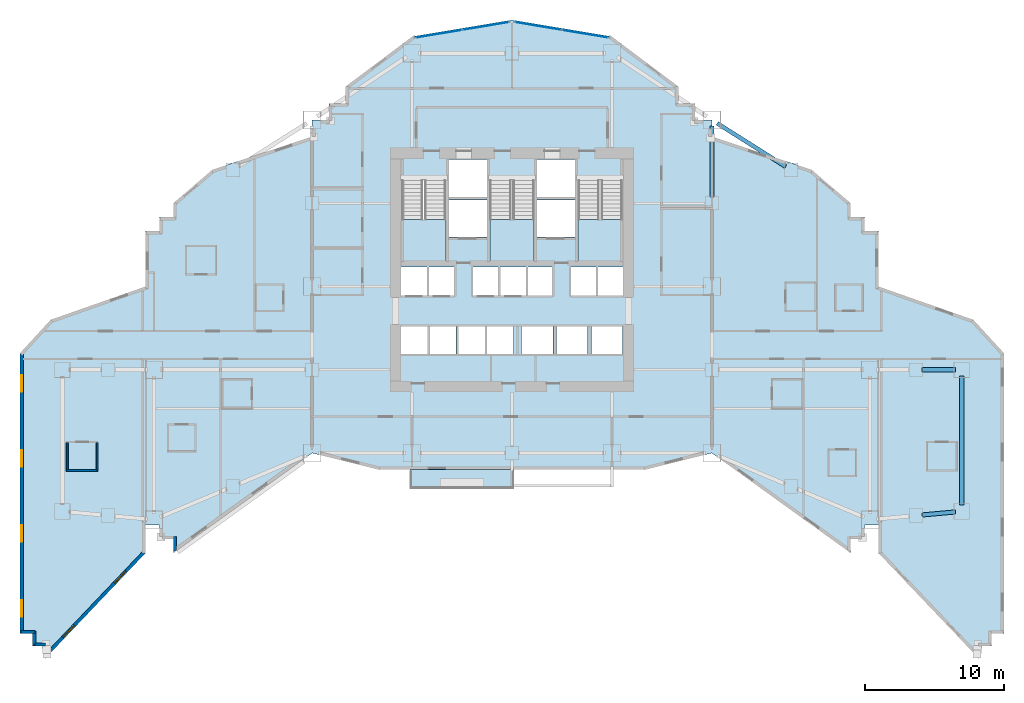
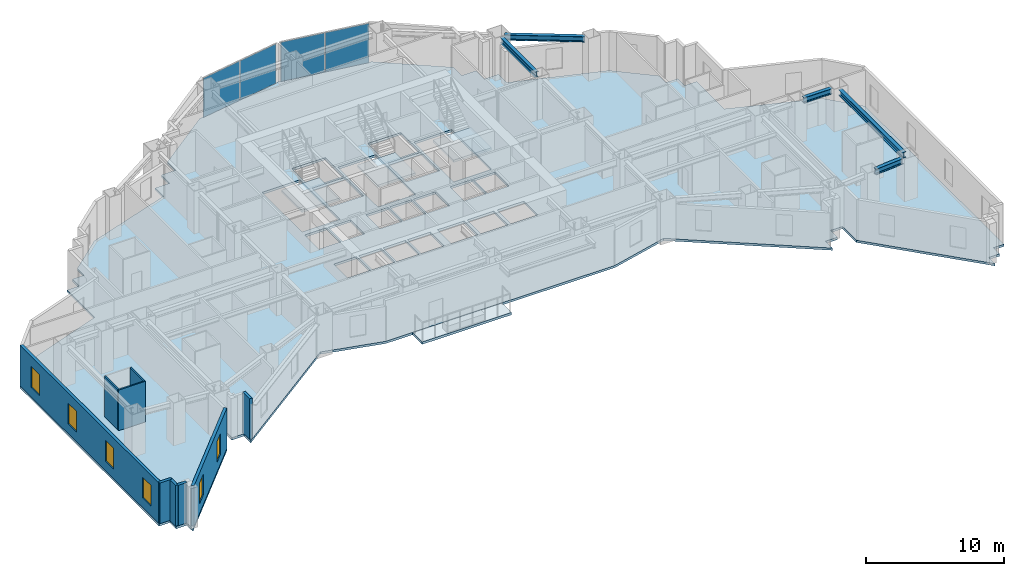
# One storey, part 6 of 17: 9 walls, 6 windows, 5 beams, 5 slabs, 4 plates, 6 openings, 5 elements without a shape of their own.
"""IFC4 building model written with IfcOpenShell, lengths in metres."""

from ifc_helpers import new_model, si_unit, direction, frame, frame_2d, origin, origin_2d, place, context, subcontext, project, spatial, polyline, rectangle, i_section, outline, extrude, material, layer, layer_set, material_profile, profile_set, type_object, element, fill, aggregate, save


model = new_model("IFC4")

# Units and contexts
model_context = context("Model", 3, precision=1e-05, world=origin(), true_north=direction((0.0, 1.0)))
body_context = subcontext(model_context, "Body", "Model", "MODEL_VIEW")
ifc_project = project(units=[si_unit("LENGTHUNIT", "METRE"), si_unit("AREAUNIT", "SQUARE_METRE"), si_unit("VOLUMEUNIT", "CUBIC_METRE"), si_unit("PLANEANGLEUNIT", "RADIAN"), si_unit("MASSUNIT", "GRAM", prefix="KILO")], contexts=[model_context])

# Site, building, storey
site_placement = place(None, origin())
site = spatial("IfcSite", under=ifc_project, at=site_placement, CompositionType="ELEMENT")
building_placement = place(site_placement, origin())
building = spatial("IfcBuilding", under=site, at=building_placement, Name="Haolan Belvedere Tower", CompositionType="ELEMENT")
storey_placement = place(building_placement, frame((0.0, 0.0, 31.60009765625)))
storey = spatial("IfcBuildingStorey", under=building, at=storey_placement, Name="L07", CompositionType="ELEMENT", Elevation=31.60009765625)

# Beams
ifc_material_1 = material(Name="Steel Q355B", Category="steel")
ifc_material_profile = material_profile(ifc_material_1, i_section(OverallWidth=0.300048828125, OverallDepth=0.488037109375, WebThickness=0.010986328125, FlangeThickness=0.01806640625, FilletRadius=0.02587890625, at=origin_2d()), Name="Steel Q355B")
ifc_profile_set = profile_set([ifc_material_profile], Name="Steel Q355B")
beam_type = type_object("IfcBeamType", Name="BM-HM488x300x11x18", PredefinedType="SPANDREL", material=ifc_profile_set)
beam_1_placement = place(storey_placement, frame((52.800048828125, 40.050048828125, 3.35595703125), z_axis=(0.0, 1.0, 0.0), x_axis=(-1.0, 0.0, 0.0)))
element("IfcBeam", 1, at=beam_1_placement, inside=storey, type_object=beam_type, Name="L07 spandrel girder TC-T3-E2-MC-T3-NE", PredefinedType="SPANDREL", context=body_context, shape_type="SweptSolid", body=[
    extrude(i_section(OverallWidth=0.300048828125, OverallDepth=0.488037109375, WebThickness=0.010986328125, FlangeThickness=0.01806640625, FilletRadius=0.02587890625, at=origin_2d()), origin(), (0.0, 0.0, 1.0), 5.099853515625),
])
beam_2_placement = place(storey_placement, frame((53.180419921875, 45.359619140625, 3.35595703125), z_axis=(0.845497840649, -0.533978839898, 0.0), x_axis=(0.533978839898, 0.845497840649, 0.0)))
element("IfcBeam", 2, at=beam_2_placement, inside=storey, type_object=beam_type, Name="L07 spandrel girder MC-T3-NE-TC-T4-N1", PredefinedType="SPANDREL", context=body_context, shape_type="SweptSolid", body=[
    extrude(i_section(OverallWidth=0.300048828125, OverallDepth=0.488037109375, WebThickness=0.010986328125, FlangeThickness=0.01806640625, FilletRadius=0.02587890625, at=origin_2d()), origin(), (0.0, 0.0, 1.0), 5.841796875),
])
beam_3_placement = place(storey_placement, frame((70.800048828125, 17.85009765625, 3.35595703125), z_axis=(0.0, 1.0, 0.0), x_axis=(-1.0, 0.0, 0.0)))
element("IfcBeam", 3, at=beam_3_placement, inside=storey, type_object=beam_type, Name="L07 spandrel girder MC-T5-SE-MC-T5-NE", PredefinedType="SPANDREL", context=body_context, shape_type="SweptSolid", body=[
    extrude(i_section(OverallWidth=0.300048828125, OverallDepth=0.488037109375, WebThickness=0.010986328125, FlangeThickness=0.01806640625, FilletRadius=0.02587890625, at=origin_2d()), origin(), (0.0, 0.0, 1.0), 9.2998046875),
])
beam_4_placement = place(storey_placement, frame((67.9482421875, 17.140625, 3.35595703125), z_axis=(0.995884080761, 0.090636072764, 0.0), x_axis=(-0.090636072764, 0.995884080761, 0.0)))
element("IfcBeam", 4, at=beam_4_placement, inside=storey, type_object=beam_type, Name="L07 spandrel girder TC-T5-M1-MC-T5-SE", PredefinedType="SPANDREL", context=body_context, shape_type="SweptSolid", body=[
    extrude(i_section(OverallWidth=0.300048828125, OverallDepth=0.488037109375, WebThickness=0.010986328125, FlangeThickness=0.01806640625, FilletRadius=0.02587890625, at=origin_2d()), origin(), (0.0, 0.0, 1.0), 2.41357421875),
])
beam_5_placement = place(storey_placement, frame((67.949951171875, 27.60009765625, 3.35595703125), z_axis=(1.0, 0.0, 0.0), x_axis=(0.0, 1.0, 0.0)))
element("IfcBeam", 5, at=beam_5_placement, inside=storey, type_object=beam_type, Name="L07 spandrel girder TC-T5-M2-MC-T5-NE", PredefinedType="SPANDREL", context=body_context, shape_type="SweptSolid", body=[
    extrude(i_section(OverallWidth=0.300048828125, OverallDepth=0.488037109375, WebThickness=0.010986328125, FlangeThickness=0.01806640625, FilletRadius=0.02587890625, at=origin_2d()), origin(), (0.0, 0.0, 1.0), 2.400146484375),
])

# Curtain wall, plates
ifc_material_2 = material(Name="Anodised champagne-silver aluminium 6063-T6 and Low-E glass", Category="aluminium")
ifc_layer_1 = layer(ifc_material_2, 0.1650390625, Name="Anodised champagne-silver aluminium 6063-T6 and Low-E glass")
ifc_layer_set_1 = layer_set([ifc_layer_1], Name="Anodised champagne-silver aluminium 6063-T6 and Low-E glass")
curtain_wall_type = type_object("IfcCurtainWallType", Name="CW-SYS-02", PredefinedType="NOTDEFINED", material=ifc_layer_set_1)
curtain_wall_1_placement = place(storey_placement, origin())
curtain_wall_1 = element("IfcCurtainWall", 6, at=curtain_wall_1_placement, inside=storey, type_object=curtain_wall_type, Name="L07 CW-SYS-02 ribbon curtain wall 42.1", PredefinedType="NOTDEFINED")
ifc_material_3 = material(Name="Double silver Low-E laminated insulating glass", Category="glass")
ifc_layer_2 = layer(ifc_material_3, 0.02587890625, Name="Double silver Low-E laminated insulating glass")
ifc_layer_set_2 = layer_set([ifc_layer_2], Name="Double silver Low-E laminated insulating glass")
plate_type = type_object("IfcPlateType", Name="CW-SYS-02-PNL", PredefinedType="CURTAIN_PANEL", material=ifc_layer_set_2)
plate_1_placement = place(storey_placement, frame((43.6796875, 51.79833984375, 0.0546875), z_axis=(0.0, 0.0, 1.0), x_axis=(-0.9863931483, 0.16440364043, 0.0)))
plate_1 = element("IfcPlate", 7, at=plate_1_placement, type_object=plate_type, Name="CW-02 panel 1.1", PredefinedType="CURTAIN_PANEL", context=body_context, shape_type="SweptSolid", body=[
    extrude(rectangle(XDim=3.39501953125, YDim=0.02587890625, at=origin_2d()), origin(), (0.0, 0.0, 1.0), 3.489990234375),
])
plate_2_placement = place(storey_placement, frame((40.271728515625, 52.366455078125, 0.0546875), z_axis=(0.0, 0.0, 1.0), x_axis=(-0.9863931483, 0.16440364043, 0.0)))
plate_2 = element("IfcPlate", 8, at=plate_2_placement, type_object=plate_type, Name="CW-02 panel 2.1", PredefinedType="CURTAIN_PANEL", context=body_context, shape_type="SweptSolid", body=[
    extrude(rectangle(XDim=3.39501953125, YDim=0.02587890625, at=origin_2d()), origin(), (0.0, 0.0, 1.0), 3.489990234375),
])
aggregate(curtain_wall_1, [plate_1, plate_2])

curtain_wall_2_placement = place(storey_placement, origin())
curtain_wall_2 = element("IfcCurtainWall", 9, at=curtain_wall_2_placement, inside=storey, type_object=curtain_wall_type, Name="L07 CW-SYS-02 ribbon curtain wall 43.1", PredefinedType="NOTDEFINED")
plate_3_placement = place(storey_placement, frame((36.5283203125, 52.366455078125, 0.0546875), z_axis=(0.0, 0.0, 1.0), x_axis=(-0.9863931483, -0.16440364043, 0.0)))
plate_3 = element("IfcPlate", 10, at=plate_3_placement, type_object=plate_type, Name="CW-02 panel 1.1", PredefinedType="CURTAIN_PANEL", context=body_context, shape_type="SweptSolid", body=[
    extrude(rectangle(XDim=3.39501953125, YDim=0.02587890625, at=origin_2d()), origin(), (0.0, 0.0, 1.0), 3.489990234375),
])
plate_4_placement = place(storey_placement, frame((33.120361328125, 51.79833984375, 0.0546875), z_axis=(0.0, 0.0, 1.0), x_axis=(-0.9863931483, -0.16440364043, 0.0)))
plate_4 = element("IfcPlate", 11, at=plate_4_placement, type_object=plate_type, Name="CW-02 panel 2.1", PredefinedType="CURTAIN_PANEL", context=body_context, shape_type="SweptSolid", body=[
    extrude(rectangle(XDim=3.39501953125, YDim=0.02587890625, at=origin_2d()), origin(), (0.0, 0.0, 1.0), 3.489990234375),
])
aggregate(curtain_wall_2, [plate_3, plate_4])

# Slabs
ifc_material_4 = material(Name="Concrete C40/50", Category="concrete")
ifc_layer_3 = layer(ifc_material_4, 0.2099609375, Name="Concrete C40/50")
ifc_layer_set_3 = layer_set([ifc_layer_3], Name="Concrete C40/50")
slab_type_1 = type_object("IfcSlabType", Name="SL-BAL-210", PredefinedType="FLOOR", material=ifc_layer_set_3)
slab_1_placement = place(storey_placement, frame((0.0, 0.0, -0.22998046875)))
element("IfcSlab", 12, at=slab_1_placement, inside=storey, type_object=slab_type_1, Name="L07 structural tree-planter balcony slab BAL-L07-S1", PredefinedType="FLOOR", context=body_context, shape_type="SweptSolid", body=[
    extrude(outline(polyline([(31.050048828125, 19.02001953125), (38.550048828125, 19.02001953125), (38.550048828125, 20.39990234375), (31.050048828125, 20.39990234375), (31.050048828125, 19.02001953125)])), origin(), (0.0, 0.0, 1.0), 0.2099609375),
])
ifc_layer_4 = layer(ifc_material_4, 0.199951171875, Name="Concrete C40/50")
ifc_layer_set_4 = layer_set([ifc_layer_4], Name="Concrete C40/50")
slab_type_2 = type_object("IfcSlabType", Name="SL-FLR-200", PredefinedType="FLOOR", material=ifc_layer_set_4)
slab_2_placement = place(storey_placement, frame((0.0, 0.0, -0.2001953125)))
element("IfcSlab", 13, at=slab_2_placement, inside=storey, type_object=slab_type_2, Name="L07 structural floor slab", PredefinedType="FLOOR", context=body_context, shape_type="SweptSolid", body=[
    extrude(outline(polyline([(2.9599609375, 28.800048828125), (2.9599609375, 9.19189453125), (2.9599609375, 8.592041015625), (3.860107421875, 8.592041015625), (3.860107421875, 7.69189453125), (4.760009765625, 7.69189453125), (4.760009765625, 6.7919921875), (12.0, 14.39990234375), (12.0, 16.39990234375), (13.0, 16.39990234375), (13.0, 15.39990234375), (14.0, 15.39990234375), (14.0, 14.39990234375), (24.0, 21.60009765625), (28.800048828125, 20.39990234375), (48.0, 20.39990234375), (52.800048828125, 21.60009765625), (62.800048828125, 14.39990234375), (62.800048828125, 15.39990234375), (63.800048828125, 15.39990234375), (63.800048828125, 16.39990234375), (64.800048828125, 16.39990234375), (64.800048828125, 14.39990234375), (72.0400390625, 6.7919921875), (72.0400390625, 7.69189453125), (72.93994140625, 7.69189453125), (72.93994140625, 8.592041015625), (73.840087890625, 8.592041015625), (73.840087890625, 28.800048828125), (71.639892578125, 31.199951171875), (64.800048828125, 33.60009765625), (64.800048828125, 37.60009765625), (63.800048828125, 37.60009765625), (63.800048828125, 38.60009765625), (62.800048828125, 38.60009765625), (62.800048828125, 39.60009765625), (60.0, 42.0), (52.800048828125, 44.39990234375), (52.800048828125, 45.60009765625), (51.60009765625, 45.60009765625), (51.60009765625, 46.800048828125), (50.39990234375, 46.800048828125), (50.39990234375, 48.0), (45.60009765625, 51.60009765625), (38.39990234375, 52.800048828125), (31.199951171875, 51.60009765625), (26.39990234375, 48.0), (26.39990234375, 46.800048828125), (25.199951171875, 46.800048828125), (25.199951171875, 45.60009765625), (24.0, 45.60009765625), (24.0, 44.39990234375), (16.800048828125, 42.0), (14.0, 39.60009765625), (14.0, 38.60009765625), (13.0, 38.60009765625), (13.0, 37.60009765625), (12.0, 37.60009765625), (12.0, 33.60009765625), (5.159912109375, 31.199951171875), (2.9599609375, 28.800048828125)]), holes=[polyline([(30.449951171875, 41.22998046875), (30.449951171875, 35.449951171875), (33.6298828125, 35.449951171875), (33.6298828125, 41.22998046875), (30.449951171875, 41.22998046875)]), polyline([(36.81005859375, 41.22998046875), (36.81005859375, 35.449951171875), (39.989990234375, 35.449951171875), (39.989990234375, 41.22998046875), (36.81005859375, 41.22998046875)]), polyline([(43.169921875, 41.22998046875), (43.169921875, 35.449951171875), (46.35009765625, 35.449951171875), (46.35009765625, 41.22998046875), (43.169921875, 41.22998046875)]), polyline([(33.830078125, 40.050048828125), (36.610107421875, 40.050048828125), (36.610107421875, 42.75), (33.830078125, 42.75), (33.830078125, 40.050048828125)]), polyline([(33.830078125, 37.14990234375), (36.610107421875, 37.14990234375), (36.610107421875, 39.85009765625), (33.830078125, 39.85009765625), (33.830078125, 37.14990234375)]), polyline([(40.18994140625, 40.050048828125), (42.969970703125, 40.050048828125), (42.969970703125, 42.75), (40.18994140625, 42.75), (40.18994140625, 40.050048828125)]), polyline([(40.18994140625, 37.14990234375), (42.969970703125, 37.14990234375), (42.969970703125, 39.85009765625), (40.18994140625, 39.85009765625), (40.18994140625, 37.14990234375)]), polyline([(30.419921875, 32.949951171875), (32.27001953125, 32.949951171875), (32.27001953125, 35.0), (30.419921875, 35.0), (30.419921875, 32.949951171875)]), polyline([(32.409912109375, 32.949951171875), (34.260009765625, 32.949951171875), (34.260009765625, 35.0), (32.409912109375, 35.0), (32.409912109375, 32.949951171875)]), polyline([(35.56005859375, 32.949951171875), (37.409912109375, 32.949951171875), (37.409912109375, 35.0), (35.56005859375, 35.0), (35.56005859375, 32.949951171875)]), polyline([(37.550048828125, 32.949951171875), (39.39990234375, 32.949951171875), (39.39990234375, 35.0), (37.550048828125, 35.0), (37.550048828125, 32.949951171875)]), polyline([(39.5400390625, 32.949951171875), (41.389892578125, 32.949951171875), (41.389892578125, 35.0), (39.5400390625, 35.0), (39.5400390625, 32.949951171875)]), polyline([(42.6201171875, 32.949951171875), (44.469970703125, 32.949951171875), (44.469970703125, 35.0), (42.6201171875, 35.0), (42.6201171875, 32.949951171875)]), polyline([(44.580078125, 32.949951171875), (46.3798828125, 32.949951171875), (46.3798828125, 35.0), (44.580078125, 35.0), (44.580078125, 32.949951171875)]), polyline([(30.419921875, 28.75), (32.320068359375, 28.75), (32.320068359375, 30.75), (30.419921875, 30.75), (30.419921875, 28.75)]), polyline([(32.47998046875, 28.75), (34.3798828125, 28.75), (34.3798828125, 30.75), (32.47998046875, 30.75), (32.47998046875, 28.75)]), polyline([(34.5400390625, 28.75), (36.43994140625, 28.75), (36.43994140625, 30.75), (34.5400390625, 30.75), (34.5400390625, 28.75)]), polyline([(36.60009765625, 28.75), (38.5, 28.75), (38.5, 30.75), (36.60009765625, 30.75), (36.60009765625, 28.75)]), polyline([(39.10009765625, 28.75), (41.340087890625, 28.75), (41.340087890625, 30.75), (39.10009765625, 30.75), (39.10009765625, 28.75)]), polyline([(41.610107421875, 28.75), (43.85009765625, 28.75), (43.85009765625, 30.75), (41.610107421875, 30.75), (41.610107421875, 28.75)]), polyline([(44.1201171875, 28.75), (46.360107421875, 28.75), (46.360107421875, 30.75), (44.1201171875, 30.75), (44.1201171875, 28.75)])]), origin(), (0.0, 0.0, 1.0), 0.2001953125),
])

# Stair, slab
stair_type = type_object("IfcStairType", Name="STR-DL-22R-173", PredefinedType="HALF_TURN_STAIR", material=ifc_material_4)
stair_1_placement = place(storey_placement, origin())
stair_1 = element("IfcStair", 14, at=stair_1_placement, inside=storey, type_object=stair_type, Name="L07 Smokeproof Core Exit Stair ST1", PredefinedType="HALF_TURN_STAIR")
ifc_layer_5 = layer(ifc_material_4, 0.199951171875, Name="Concrete C40/50")
ifc_layer_set_5 = layer_set([ifc_layer_5], Name="Concrete C40/50")
slab_type_3 = type_object("IfcSlabType", Name="SL-LAND-200", PredefinedType="LANDING", material=ifc_layer_set_5)
slab_3_placement = place(storey_placement, frame((0.0, 0.0, 1.699951171875)))
slab_3 = element("IfcSlab", 15, at=slab_3_placement, type_object=slab_type_3, Name="ST1 landing 1", PredefinedType="LANDING", context=body_context, shape_type="SweptSolid", body=[
    extrude(outline(polyline([(30.449951171875, 38.429931640625), (30.449951171875, 35.449951171875), (33.6298828125, 35.449951171875), (33.6298828125, 38.429931640625), (30.449951171875, 38.429931640625)])), origin(), (0.0, 0.0, 1.0), 0.199951171875),
])
aggregate(stair_1, [slab_3])

stair_2_placement = place(storey_placement, origin())
stair_2 = element("IfcStair", 16, at=stair_2_placement, inside=storey, type_object=stair_type, Name="L07 Smokeproof Core Exit Stair ST3", PredefinedType="HALF_TURN_STAIR")
slab_4_placement = place(storey_placement, frame((0.0, 0.0, 1.699951171875)))
slab_4 = element("IfcSlab", 17, at=slab_4_placement, type_object=slab_type_3, Name="ST3 landing 1", PredefinedType="LANDING", context=body_context, shape_type="SweptSolid", body=[
    extrude(outline(polyline([(36.81005859375, 38.429931640625), (36.81005859375, 35.449951171875), (39.989990234375, 35.449951171875), (39.989990234375, 38.429931640625), (36.81005859375, 38.429931640625)])), origin(), (0.0, 0.0, 1.0), 0.199951171875),
])
aggregate(stair_2, [slab_4])

stair_3_placement = place(storey_placement, origin())
stair_3 = element("IfcStair", 18, at=stair_3_placement, inside=storey, type_object=stair_type, Name="L07 Smokeproof Core Exit Stair ST2", PredefinedType="HALF_TURN_STAIR")
slab_5_placement = place(storey_placement, frame((0.0, 0.0, 1.699951171875)))
slab_5 = element("IfcSlab", 19, at=slab_5_placement, type_object=slab_type_3, Name="ST2 landing 1", PredefinedType="LANDING", context=body_context, shape_type="SweptSolid", body=[
    extrude(outline(polyline([(43.169921875, 38.429931640625), (43.169921875, 35.449951171875), (46.35009765625, 35.449951171875), (46.35009765625, 38.429931640625), (43.169921875, 38.429931640625)])), origin(), (0.0, 0.0, 1.0), 0.199951171875),
])
aggregate(stair_3, [slab_5])

# Walls
ifc_material_5 = material(Name="Precast concrete C40/50", Category="concrete")
ifc_layer_6 = layer(ifc_material_5, 0.239990234375, Name="Precast concrete C40/50")
ifc_layer_set_6 = layer_set([ifc_layer_6], Name="Precast concrete C40/50")
wall_type_1 = type_object("IfcWallType", Name="WL-EXT-240", PredefinedType="SOLIDWALL", material=ifc_layer_set_6)
for number, where, z_axis, x_axis, name in (
    (20, (3.02490234375, 8.7119140625, 0.0), (0.0, 0.0, 1.0), (1.0, 0.0, 0.0), "L07 pale-metal exterior spandrel wall 1.1"),
    (21, (3.97998046875, 8.76708984375, 0.0), (0.0, 0.0, 1.0), (0.0, -1.0, 0.0), "L07 pale-metal exterior spandrel wall 2.1"),
):
    element("IfcWall", number, at=place(storey_placement, frame(where, z_axis=z_axis, x_axis=x_axis)), inside=storey, type_object=wall_type_1, Name=name, PredefinedType="SOLIDWALL", context=body_context, shape_type="SweptSolid", body=[
        extrude(rectangle(XDim=1.010009765625, YDim=0.239990234375, at=frame_2d((0.5048828125, 0.0))), origin(), (0.0, 0.0, 1.0), 3.599853515625),
    ])
wall_1_placement = place(storey_placement, frame((4.044921875, 7.81201171875, 0.0), z_axis=(0.0, 0.0, 1.0), x_axis=(1.0, 0.0, 0.0)))
element("IfcWall", 22, at=wall_1_placement, inside=storey, type_object=wall_type_1, Name="L07 pale-metal exterior spandrel wall 3.1", PredefinedType="SOLIDWALL", context=body_context, shape_type="SweptSolid", body=[
    extrude(rectangle(XDim=0.75, YDim=0.239990234375, at=frame_2d((0.375, 0.0))), origin(), (0.0, 0.0, 1.0), 3.599853515625),
])

# Wall, openings, windows
wall_2_placement = place(storey_placement, frame((4.938720703125, 7.15380859375, 0.0), z_axis=(0.0, 0.0, 1.0), x_axis=(0.689370300416, 0.724409130881, 0.0)))
wall_2 = element("IfcWall", 23, at=wall_2_placement, inside=storey, type_object=wall_type_1, Name="L07 pale-metal exterior spandrel wall 5.1", PredefinedType="SOLIDWALL", context=body_context, shape_type="SweptSolid", body=[
    extrude(rectangle(XDim=10.1240234375, YDim=0.239990234375, at=frame_2d((5.06201171875, 0.0))), origin(), (0.0, 0.0, 1.0), 3.599853515625),
])
opening_1_placement = place(wall_2_placement, frame((1.60009765625, 0.0, 0.85009765625)))
opening_1 = element("IfcOpeningElement", 24, at=opening_1_placement, cuts=wall_2, Name="Opening W-01", PredefinedType="OPENING", context=body_context, shape_type="SweptSolid", body=[
    extrude(rectangle(XDim=1.199951171875, YDim=1.85009765625, at=frame_2d((0.60009765625, 0.925048828125))), frame((0.0, 0.1298828125, 0.0), z_axis=(0.0, -1.0, 0.0), x_axis=(1.0, 0.0, 0.0)), (0.0, 0.0, 1.0), 0.260009765625),
])
opening_2_placement = place(wall_2_placement, frame((7.0, 0.0, 0.85009765625)))
opening_2 = element("IfcOpeningElement", 25, at=opening_2_placement, cuts=wall_2, Name="Opening W-01", PredefinedType="OPENING", context=body_context, shape_type="SweptSolid", body=[
    extrude(rectangle(XDim=1.199951171875, YDim=1.85009765625, at=frame_2d((0.60009765625, 0.925048828125))), frame((0.0, 0.1298828125, 0.0), z_axis=(0.0, -1.0, 0.0), x_axis=(1.0, 0.0, 0.0)), (0.0, 0.0, 1.0), 0.260009765625),
])
ifc_material_6 = material(Name="Anodised aluminium 6063-T6 and Low-E glass", Category="aluminium")
window_type = type_object("IfcWindowType", Name="WN-DECO-Z1", PartitioningType="SINGLE_PANEL", PredefinedType="WINDOW", material=ifc_material_6)
window_1_placement = place(opening_1_placement, origin())
window_1 = element("IfcWindow", 26, at=window_1_placement, inside=storey, type_object=window_type, Name="L07 Art Deco chevron window 1", OverallHeight=1.85009765625, OverallWidth=1.199951171875, PartitioningType="SINGLE_PANEL", PredefinedType="WINDOW", context=body_context, shape_type="SweptSolid", body=[
    extrude(rectangle(XDim=1.199951171875, YDim=1.85009765625, at=frame_2d((0.60009765625, 0.925048828125))), frame((0.0, 0.030029296875, 0.0), z_axis=(0.0, -1.0, 0.0), x_axis=(1.0, 0.0, 0.0)), (0.0, 0.0, 1.0), 0.06005859375),
])
fill(opening_1, window_1)
window_2_placement = place(opening_2_placement, origin())
window_2 = element("IfcWindow", 27, at=window_2_placement, inside=storey, type_object=window_type, Name="L07 Art Deco chevron window 2", OverallHeight=1.85009765625, OverallWidth=1.199951171875, PartitioningType="SINGLE_PANEL", PredefinedType="WINDOW", context=body_context, shape_type="SweptSolid", body=[
    extrude(rectangle(XDim=1.199951171875, YDim=1.85009765625, at=frame_2d((0.60009765625, 0.925048828125))), frame((0.0, 0.030029296875, 0.0), z_axis=(0.0, -1.0, 0.0), x_axis=(1.0, 0.0, 0.0)), (0.0, 0.0, 1.0), 0.06005859375),
])
fill(opening_2, window_2)

# Wall
wall_3_placement = place(storey_placement, frame((14.1201171875, 15.574951171875, 0.0), z_axis=(0.0, 0.0, 1.0), x_axis=(0.0, -1.0, 0.0)))
element("IfcWall", 28, at=wall_3_placement, inside=storey, type_object=wall_type_1, Name="L07 pale-metal exterior spandrel wall 10.1", PredefinedType="SOLIDWALL", context=body_context, shape_type="SweptSolid", body=[
    extrude(rectangle(XDim=0.99560546875, YDim=0.239990234375, at=frame_2d((0.497802734375, 0.0))), origin(), (0.0, 0.0, 1.0), 3.599853515625),
])

# Wall, openings, windows
wall_4_placement = place(storey_placement, frame((3.080078125, 28.808349609375, 0.0), z_axis=(0.0, 0.0, 1.0), x_axis=(0.0, -1.0, 0.0)))
wall_4 = element("IfcWall", 29, at=wall_4_placement, inside=storey, type_object=wall_type_1, Name="L07 pale-metal exterior spandrel wall 59.1", PredefinedType="SOLIDWALL", context=body_context, shape_type="SweptSolid", body=[
    extrude(rectangle(XDim=20.1513671875, YDim=0.239990234375, at=frame_2d((10.07568359375, 0.0))), origin(), (0.0, 0.0, 1.0), 3.599853515625),
])
opening_3_placement = place(wall_4_placement, frame((1.60009765625, 0.0, 0.85009765625)))
opening_3 = element("IfcOpeningElement", 30, at=opening_3_placement, cuts=wall_4, Name="Opening W-01", PredefinedType="OPENING", context=body_context, shape_type="SweptSolid", body=[
    extrude(rectangle(XDim=1.199951171875, YDim=1.85009765625, at=frame_2d((0.60009765625, 0.925048828125))), frame((0.0, 0.1298828125, 0.0), z_axis=(0.0, -1.0, 0.0), x_axis=(1.0, 0.0, 0.0)), (0.0, 0.0, 1.0), 0.260009765625),
])
opening_4_placement = place(wall_4_placement, frame((7.0, 0.0, 0.85009765625)))
opening_4 = element("IfcOpeningElement", 31, at=opening_4_placement, cuts=wall_4, Name="Opening W-01", PredefinedType="OPENING", context=body_context, shape_type="SweptSolid", body=[
    extrude(rectangle(XDim=1.199951171875, YDim=1.85009765625, at=frame_2d((0.60009765625, 0.925048828125))), frame((0.0, 0.1298828125, 0.0), z_axis=(0.0, -1.0, 0.0), x_axis=(1.0, 0.0, 0.0)), (0.0, 0.0, 1.0), 0.260009765625),
])
opening_5_placement = place(wall_4_placement, frame((12.39990234375, 0.0, 0.85009765625)))
opening_5 = element("IfcOpeningElement", 32, at=opening_5_placement, cuts=wall_4, Name="Opening W-01", PredefinedType="OPENING", context=body_context, shape_type="SweptSolid", body=[
    extrude(rectangle(XDim=1.199951171875, YDim=1.85009765625, at=frame_2d((0.60009765625, 0.925048828125))), frame((0.0, 0.1298828125, 0.0), z_axis=(0.0, -1.0, 0.0), x_axis=(1.0, 0.0, 0.0)), (0.0, 0.0, 1.0), 0.260009765625),
])
opening_6_placement = place(wall_4_placement, frame((17.800048828125, 0.0, 0.85009765625)))
opening_6 = element("IfcOpeningElement", 33, at=opening_6_placement, cuts=wall_4, Name="Opening W-01", PredefinedType="OPENING", context=body_context, shape_type="SweptSolid", body=[
    extrude(rectangle(XDim=1.199951171875, YDim=1.85009765625, at=frame_2d((0.60009765625, 0.925048828125))), frame((0.0, 0.1298828125, 0.0), z_axis=(0.0, -1.0, 0.0), x_axis=(1.0, 0.0, 0.0)), (0.0, 0.0, 1.0), 0.260009765625),
])
window_3_placement = place(opening_3_placement, origin())
window_3 = element("IfcWindow", 34, at=window_3_placement, inside=storey, type_object=window_type, Name="L07 Art Deco chevron window 1", OverallHeight=1.85009765625, OverallWidth=1.199951171875, PartitioningType="SINGLE_PANEL", PredefinedType="WINDOW", context=body_context, shape_type="SweptSolid", body=[
    extrude(rectangle(XDim=1.199951171875, YDim=1.85009765625, at=frame_2d((0.60009765625, 0.925048828125))), frame((0.0, 0.030029296875, 0.0), z_axis=(0.0, -1.0, 0.0), x_axis=(1.0, 0.0, 0.0)), (0.0, 0.0, 1.0), 0.06005859375),
])
fill(opening_3, window_3)
window_4_placement = place(opening_4_placement, origin())
window_4 = element("IfcWindow", 35, at=window_4_placement, inside=storey, type_object=window_type, Name="L07 Art Deco chevron window 2", OverallHeight=1.85009765625, OverallWidth=1.199951171875, PartitioningType="SINGLE_PANEL", PredefinedType="WINDOW", context=body_context, shape_type="SweptSolid", body=[
    extrude(rectangle(XDim=1.199951171875, YDim=1.85009765625, at=frame_2d((0.60009765625, 0.925048828125))), frame((0.0, 0.030029296875, 0.0), z_axis=(0.0, -1.0, 0.0), x_axis=(1.0, 0.0, 0.0)), (0.0, 0.0, 1.0), 0.06005859375),
])
fill(opening_4, window_4)
window_5_placement = place(opening_5_placement, origin())
window_5 = element("IfcWindow", 36, at=window_5_placement, inside=storey, type_object=window_type, Name="L07 Art Deco chevron window 3", OverallHeight=1.85009765625, OverallWidth=1.199951171875, PartitioningType="SINGLE_PANEL", PredefinedType="WINDOW", context=body_context, shape_type="SweptSolid", body=[
    extrude(rectangle(XDim=1.199951171875, YDim=1.85009765625, at=frame_2d((0.60009765625, 0.925048828125))), frame((0.0, 0.030029296875, 0.0), z_axis=(0.0, -1.0, 0.0), x_axis=(1.0, 0.0, 0.0)), (0.0, 0.0, 1.0), 0.06005859375),
])
fill(opening_5, window_5)
window_6_placement = place(opening_6_placement, origin())
window_6 = element("IfcWindow", 37, at=window_6_placement, inside=storey, type_object=window_type, Name="L07 Art Deco chevron window 4", OverallHeight=1.85009765625, OverallWidth=1.199951171875, PartitioningType="SINGLE_PANEL", PredefinedType="WINDOW", context=body_context, shape_type="SweptSolid", body=[
    extrude(rectangle(XDim=1.199951171875, YDim=1.85009765625, at=frame_2d((0.60009765625, 0.925048828125))), frame((0.0, 0.030029296875, 0.0), z_axis=(0.0, -1.0, 0.0), x_axis=(1.0, 0.0, 0.0)), (0.0, 0.0, 1.0), 0.06005859375),
])
fill(opening_6, window_6)

# Walls
ifc_material_7 = material(Name="Moisture-resistant gypsum tile partition", Category="masonry")
ifc_layer_7 = layer(ifc_material_7, 0.1201171875, Name="Moisture-resistant gypsum tile partition")
ifc_layer_set_7 = layer_set([ifc_layer_7], Name="Moisture-resistant gypsum tile partition")
wall_type_2 = type_object("IfcWallType", Name="WL-WET-120", PredefinedType="PARTITIONING", material=ifc_layer_set_7)
wall_5_placement = place(storey_placement, frame((6.302001953125, 20.34912109375, 0.0), z_axis=(0.0, 0.0, 1.0), x_axis=(1.0, 0.0, 0.0)))
element("IfcWall", 38, at=wall_5_placement, inside=storey, type_object=wall_type_2, Name="L07 interior partition IW-L07-T1S1-BS", PredefinedType="PARTITIONING", context=body_context, shape_type="SweptSolid", body=[
    extrude(rectangle(XDim=2.27001953125, YDim=0.1201171875, at=frame_2d((1.135009765625, 0.0))), origin(), (0.0, 0.0, 1.0), 3.599853515625),
])
for number, where, z_axis, x_axis, name in (
    (39, (6.362060546875, 20.39404296875, 0.0), (0.0, 0.0, 1.0), (0.0, 1.0, 0.0), "L07 interior partition IW-L07-T1S1-BW"),
    (40, (8.511962890625, 20.39404296875, 0.0), (0.0, 0.0, 1.0), (0.0, 1.0, 0.0), "L07 interior partition IW-L07-T1S1-BE"),
):
    element("IfcWall", number, at=place(storey_placement, frame(where, z_axis=z_axis, x_axis=x_axis)), inside=storey, type_object=wall_type_2, Name=name, PredefinedType="PARTITIONING", context=body_context, shape_type="SweptSolid", body=[
        extrude(rectangle(XDim=1.9599609375, YDim=0.1201171875, at=frame_2d((0.97998046875, 0.0))), origin(), (0.0, 0.0, 1.0), 3.599853515625),
    ])

save(model, "model.ifc")
